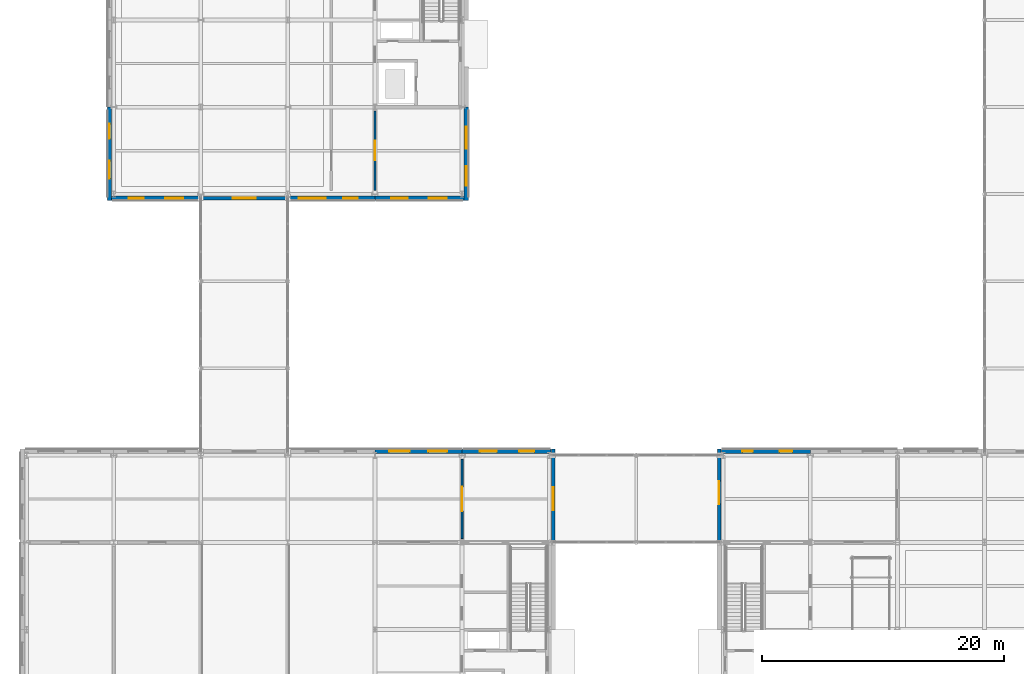
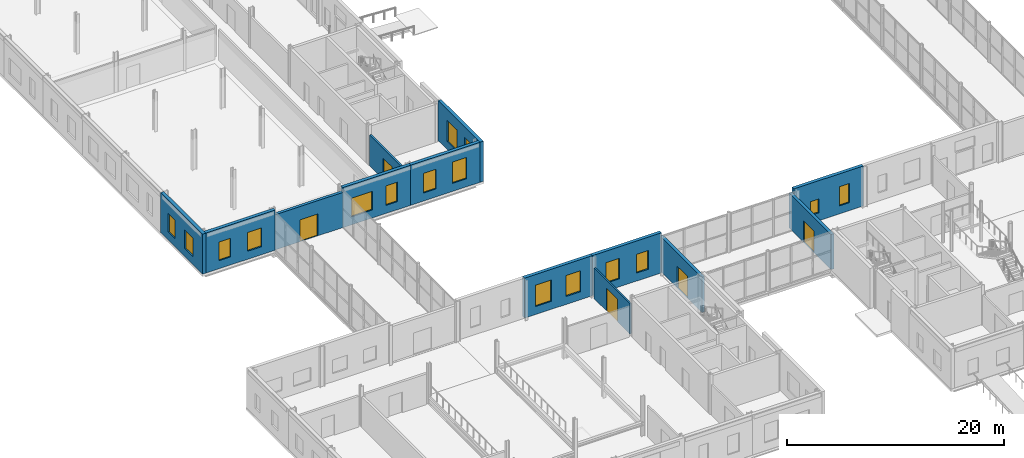
# One storey, part 56 of 92: 16 windows, 13 walls, 5 doors, 21 openings.
"""IFC4 building model written with IfcOpenShell, lengths in metres."""

import ifcopenshell
import ifcopenshell.guid

model = None  # the IFC model being written
_history = None  # IfcOwnerHistory: only IFC2X3 demands one
_inside = {}  # id of a spatial element -> (the spatial element, [elements in it])
_under = {}  # id of a project, library or spatial element -> (it, [spatial elements below it])
_declared = {}  # id of a project -> (the project, [libraries it declares])
_typed = {}  # id of a type object -> (the type object, [elements of that type])
_made_of = {}  # id of a material, layer set ... -> (it, [elements and type objects made of it])


def new_model(schema):
    """Start an empty IFC model of exactly this schema.

    Asked for "IFC4X3", IfcOpenShell would pick the latest addendum, in which some entities
    have other attributes; the version numbers below select the first issue.
    IFC2X3 requires an IfcOwnerHistory on every rooted entity: one is made here for all.
    """
    global model, _history
    if schema == "IFC4X3":
        model = ifcopenshell.file(schema_version=(4, 3, 0, 0))
    else:
        model = ifcopenshell.file(schema=schema)
    _inside.clear()
    _under.clear()
    _declared.clear()
    _typed.clear()
    _made_of.clear()
    _history = None
    if model.schema == "IFC2X3":
        org = make("IfcOrganization", Name="unknown")
        user = make(
            "IfcPersonAndOrganization",
            ThePerson=make("IfcPerson", FamilyName="unknown"),
            TheOrganization=org,
        )
        app = make(
            "IfcApplication",
            ApplicationDeveloper=org,
            Version="unknown",
            ApplicationFullName="unknown",
            ApplicationIdentifier="unknown",
        )
        _history = make(
            "IfcOwnerHistory",
            OwningUser=user,
            OwningApplication=app,
            ChangeAction="ADDED",
            CreationDate=0,
        )
    return model


def make(cls, **values):
    """One entity of the class cls with the attributes given. An attribute that is None is left unset."""
    return model.create_entity(
        cls, **{name: value for name, value in values.items() if value is not None}
    )


def rooted(cls, **values):
    """An entity with a GlobalId (a new one), such as an element, a storey or a relation."""
    return make(cls, GlobalId=ifcopenshell.guid.new(), OwnerHistory=_history, **values)


def si_unit(unit_type, name, prefix=None):
    """IfcSIUnit, for example si_unit("LENGTHUNIT", "METRE", prefix="MILLI")."""
    return make("IfcSIUnit", UnitType=unit_type, Prefix=prefix, Name=name)


def assignment(units):
    """IfcUnitAssignment: the units of a project."""
    return None if units is None else make("IfcUnitAssignment", Units=units)


def point(xyz):
    """IfcCartesianPoint."""
    return None if xyz is None else make("IfcCartesianPoint", Coordinates=xyz)


def direction(xyz):
    """IfcDirection."""
    return None if xyz is None else make("IfcDirection", DirectionRatios=xyz)


def frame(location, z_axis=None, x_axis=None):
    """IfcAxis2Placement3D, a coordinate frame: its origin and axes. An axis left out is left unset."""
    return make(
        "IfcAxis2Placement3D",
        Location=point(location),
        Axis=direction(z_axis),
        RefDirection=direction(x_axis),
    )


def frame_2d(location, x_axis=None):
    """IfcAxis2Placement2D, a coordinate frame in the plane: its origin and x axis."""
    return make(
        "IfcAxis2Placement2D", Location=point(location), RefDirection=direction(x_axis)
    )


def origin():
    """The frame at (0, 0, 0) with its axes left unset."""
    return frame((0.0, 0.0, 0.0))


def place(relative_to, where):
    """IfcLocalPlacement: puts the frame where relative to a parent placement (None: the world)."""
    return make(
        "IfcLocalPlacement", PlacementRelTo=relative_to, RelativePlacement=where
    )


def context(
    kind, dimensions, precision=None, world=None, true_north=None, identifier=None
):
    """IfcGeometricRepresentationContext, for example the 3D "Model" context."""
    return make(
        "IfcGeometricRepresentationContext",
        ContextIdentifier=identifier,
        ContextType=kind,
        CoordinateSpaceDimension=dimensions,
        Precision=precision,
        WorldCoordinateSystem=world,
        TrueNorth=true_north,
    )


def subcontext(parent, identifier, kind, view, scale=None):
    """IfcGeometricRepresentationSubContext, for example "Body" below "Model"."""
    return make(
        "IfcGeometricRepresentationSubContext",
        ContextIdentifier=identifier,
        ContextType=kind,
        ParentContext=parent,
        TargetScale=scale,
        TargetView=view,
    )


def project(units=None, contexts=None):
    """IfcProject with its units and contexts."""
    return rooted(
        "IfcProject",
        Name="project",
        RepresentationContexts=contexts,
        UnitsInContext=assignment(units),
    )


def spatial(cls, under=None, at=None, **own):
    """A site, building, storey or space (cls), placed at a placement, below another one or the project."""
    s = rooted(cls, ObjectPlacement=at, **own)
    if under is not None:
        _under.setdefault(under.id(), (under, []))[1].append(s)
    return s


def profile(cls, at=None, kind="AREA", **sizes):
    """A parametric profile (cls). Its sizes go by their IFC names, for example OverallWidth=200.0."""
    return make(cls, ProfileType=kind, Position=at, **sizes)


def rectangle(**sizes):
    """IfcRectangleProfileDef."""
    return profile("IfcRectangleProfileDef", **sizes)


def extrude(swept, where, along, depth):
    """IfcExtrudedAreaSolid: the profile swept, set in the frame where, extruded along a direction by depth."""
    return make(
        "IfcExtrudedAreaSolid",
        SweptArea=swept,
        Position=where,
        ExtrudedDirection=direction(along),
        Depth=depth,
    )


def shape(context_of_items, identifier, shape_type, items):
    """IfcShapeRepresentation: the items that make up one representation, for example the "Body"."""
    return make(
        "IfcShapeRepresentation",
        ContextOfItems=context_of_items,
        RepresentationIdentifier=identifier,
        RepresentationType=shape_type,
        Items=items,
    )


def material(Name=None, Category=None):
    """IfcMaterial."""
    return make("IfcMaterial", Name=Name, Category=Category)


def layer(
    of_material, thickness, ventilated=None, Name=None, Category=None, Priority=None
):
    """IfcMaterialLayer: one layer of a wall or slab, of a material (None: an air gap)."""
    return make(
        "IfcMaterialLayer",
        Material=of_material,
        LayerThickness=thickness,
        IsVentilated=ventilated,
        Name=Name,
        Category=Category,
        Priority=Priority,
    )


def layer_set(layers, Name=None):
    """IfcMaterialLayerSet."""
    return make("IfcMaterialLayerSet", MaterialLayers=layers, LayerSetName=Name)


def made_of(thing, what):
    """Note that an element or type object is made of a material, layer set ...; save() writes the relation."""
    if what is not None:
        _made_of.setdefault(what.id(), (what, []))[1].append(thing)
    return thing


def type_object(cls, material=None, **own):
    """A type object (cls), such as IfcWallType, which elements share."""
    return made_of(rooted(cls, **own), material)


def element(
    cls,
    number,
    at=None,
    inside=None,
    cuts=None,
    type_object=None,
    material=None,
    context=None,
    identifier="Body",
    shape_type=None,
    held_by="IfcProductDefinitionShape",
    body=None,
    shapes=None,
    **own,
):
    """One element of the class cls, such as IfcWall. Its Tag is "e" and its number.

    at: its placement. inside: the storey or other place that contains it. cuts: it is an
    opening in that element (IfcRelVoidsElement). A single representation is given by context,
    identifier, shape_type and body (its items); several are given by shapes. held_by: the class
    of the entity that holds the representations. save() writes the other relations.
    """
    e = rooted(cls, Tag="e%d" % number, ObjectPlacement=at, **own)
    if body is not None:
        shapes = [shape(context, identifier, shape_type, body)]
    if shapes is not None:
        e.Representation = make(held_by, Representations=shapes)
    if inside is not None:
        _inside.setdefault(inside.id(), (inside, []))[1].append(e)
    if cuts is not None:
        rooted(
            "IfcRelVoidsElement", RelatingBuildingElement=cuts, RelatedOpeningElement=e
        )
    if type_object is not None:
        _typed.setdefault(type_object.id(), (type_object, []))[1].append(e)
    return made_of(e, material)


def fill(opening, filler):
    """IfcRelFillsElement: the door or window that sits in an opening."""
    return rooted(
        "IfcRelFillsElement",
        RelatingOpeningElement=opening,
        RelatedBuildingElement=filler,
    )


def aggregate(whole, parts):
    """IfcRelAggregates: a whole, such as a stair, and the parts it consists of."""
    return rooted("IfcRelAggregates", RelatingObject=whole, RelatedObjects=parts)


def save(model, path):
    """Write the relations noted so far, then the file.

    IfcRelAggregates (storeys below a building ...), IfcRelContainedInSpatialStructure (elements
    in a storey), IfcRelDefinesByType, IfcRelAssociatesMaterial and IfcRelDeclares: one each for
    every whole, place, type object, material and project.
    """
    for whole, parts in _under.values():
        aggregate(whole, parts)
    for where, things in _inside.values():
        rooted(
            "IfcRelContainedInSpatialStructure",
            RelatedElements=things,
            RelatingStructure=where,
        )
    for kind, things in _typed.values():
        rooted("IfcRelDefinesByType", RelatedObjects=things, RelatingType=kind)
    for what, things in _made_of.values():
        rooted("IfcRelAssociatesMaterial", RelatedObjects=things, RelatingMaterial=what)
    for by, libraries in _declared.values():
        rooted("IfcRelDeclares", RelatingContext=by, RelatedDefinitions=libraries)
    model.write(path)


model = new_model("IFC4")

# Units and contexts
model_context = context("Model", 3, precision=1e-05, world=origin(), true_north=direction((0.0, 1.0)))
body_context = subcontext(model_context, "Body", "Model", "MODEL_VIEW")
ifc_project = project(units=[si_unit("LENGTHUNIT", "METRE"), si_unit("AREAUNIT", "SQUARE_METRE"), si_unit("VOLUMEUNIT", "CUBIC_METRE"), si_unit("PLANEANGLEUNIT", "RADIAN"), si_unit("MASSUNIT", "GRAM", prefix="KILO")], contexts=[model_context])

# Site, building, storey
site_placement = place(None, origin())
site = spatial("IfcSite", under=ifc_project, at=site_placement, CompositionType="ELEMENT")
building_placement = place(site_placement, origin())
building = spatial("IfcBuilding", under=site, at=building_placement, Name="Zlatovets Crest Museum", CompositionType="ELEMENT")
storey_placement = place(building_placement, origin())
storey = spatial("IfcBuildingStorey", under=building, at=storey_placement, Name="L00", CompositionType="ELEMENT", Elevation=0.0)

# Wall, openings, windows
ifc_material_1 = material(Name="Vratsa limestone ashlar masonry and mineral wool", Category="masonry")
ifc_layer_1 = layer(ifc_material_1, 0.35009765625)
ifc_layer_set_1 = layer_set([ifc_layer_1], Name="Vratsa limestone ashlar masonry and mineral wool")
wall_type_1 = type_object("IfcWallType", Name="ExtWall_EW-01", PredefinedType="STANDARD", material=ifc_layer_set_1)
wall_1_placement = place(storey_placement, frame((64.800048828125, 29.139892578125, 0.0), z_axis=(0.0, 0.0, 1.0), x_axis=(-1.0, 0.0, 0.0)))
wall_1 = element("IfcWall", 1, at=wall_1_placement, inside=storey, type_object=wall_type_1, Name="V2 L00 Vratsa Limestone Plinth Wall", PredefinedType="STANDARD", context=body_context, shape_type="SweptSolid", body=[
    extrude(rectangle(XDim=7.364990234375, YDim=0.35009765625, at=frame_2d((3.6826171875, 0.0))), origin(), (0.0, 0.0, 1.0), 4.5),
])
opening_1_placement = place(wall_1_placement, frame((1.490966796875, 0.0, 0.89990234375)))
opening_1 = element("IfcOpeningElement", 2, at=opening_1_placement, cuts=wall_1, Name="Opening WN-12", PredefinedType="OPENING", context=body_context, shape_type="SweptSolid", body=[
    extrude(rectangle(XDim=1.050048828125, YDim=2.14990234375, at=frame_2d((0.52490234375, 1.074951171875))), frame((0.0, 0.18505859375, 0.0), z_axis=(0.0, -1.0, 0.0), x_axis=(1.0, 0.0, 0.0)), (0.0, 0.0, 1.0), 0.3701171875),
])
opening_2_placement = place(wall_1_placement, frame((4.743896484375, 0.0, 0.89990234375)))
opening_2 = element("IfcOpeningElement", 3, at=opening_2_placement, cuts=wall_1, Name="Opening WN-16", PredefinedType="OPENING", context=body_context, shape_type="SweptSolid", body=[
    extrude(rectangle(XDim=0.8798828125, YDim=1.5400390625, at=frame_2d((0.43994140625, 0.77001953125))), frame((0.0, 0.18505859375, 0.0), z_axis=(0.0, -1.0, 0.0), x_axis=(1.0, 0.0, 0.0)), (0.0, 0.0, 1.0), 0.3701171875),
])
ifc_material_2 = material(Name="Bronze-anodised aluminium frame with low-E triple glass", Category="aluminium")
window_type_1 = type_object("IfcWindowType", Name="Win_WN-12", PartitioningType="SINGLE_PANEL", PredefinedType="WINDOW", material=ifc_material_2)
window_1_placement = place(opening_1_placement, origin())
window_1 = element("IfcWindow", 4, at=window_1_placement, inside=storey, type_object=window_type_1, Name="V2 L00 Secession Plinth Window WN-12", OverallHeight=2.14990234375, OverallWidth=1.050048828125, PartitioningType="SINGLE_PANEL", PredefinedType="WINDOW", context=body_context, shape_type="SweptSolid", body=[
    extrude(rectangle(XDim=1.050048828125, YDim=2.14990234375, at=frame_2d((0.52490234375, 1.074951171875))), frame((0.0, 0.030029296875, 0.0), z_axis=(0.0, -1.0, 0.0), x_axis=(1.0, 0.0, 0.0)), (0.0, 0.0, 1.0), 0.06005859375),
])
fill(opening_1, window_1)
window_type_2 = type_object("IfcWindowType", Name="Win_WN-16", PartitioningType="SINGLE_PANEL", PredefinedType="WINDOW", material=ifc_material_2)
window_2_placement = place(opening_2_placement, origin())
window_2 = element("IfcWindow", 5, at=window_2_placement, inside=storey, type_object=window_type_2, Name="V2 L00 Secession Plinth Window WN-16", OverallHeight=1.5400390625, OverallWidth=0.8798828125, PartitioningType="SINGLE_PANEL", PredefinedType="WINDOW", context=body_context, shape_type="SweptSolid", body=[
    extrude(rectangle(XDim=0.8798828125, YDim=1.5400390625, at=frame_2d((0.43994140625, 0.77001953125))), frame((0.0, 0.030029296875, 0.0), z_axis=(0.0, -1.0, 0.0), x_axis=(1.0, 0.0, 0.0)), (0.0, 0.0, 1.0), 0.06005859375),
])
fill(opening_2, window_2)

wall_2_placement = place(storey_placement, frame((43.364990234375, 29.139892578125, 0.0), z_axis=(0.0, 0.0, 1.0), x_axis=(-1.0, 0.0, 0.0)))
wall_2 = element("IfcWall", 6, at=wall_2_placement, inside=storey, type_object=wall_type_1, Name="V3 L00 Vratsa Limestone Plinth Wall", PredefinedType="STANDARD", context=body_context, shape_type="SweptSolid", body=[
    extrude(rectangle(XDim=7.364990234375, YDim=0.35009765625, at=frame_2d((3.6826171875, 0.0))), origin(), (0.0, 0.0, 1.0), 4.5),
])
opening_3_placement = place(wall_2_placement, frame((1.39111328125, 0.0, 0.89990234375)))
opening_3 = element("IfcOpeningElement", 7, at=opening_3_placement, cuts=wall_2, Name="Opening WN-07", PredefinedType="OPENING", context=body_context, shape_type="SweptSolid", body=[
    extrude(rectangle(XDim=1.25, YDim=2.10009765625, at=frame_2d((0.625, 1.050048828125))), frame((0.0, 0.18505859375, 0.0), z_axis=(0.0, -1.0, 0.0), x_axis=(1.0, 0.0, 0.0)), (0.0, 0.0, 1.0), 0.3701171875),
])
opening_4_placement = place(wall_2_placement, frame((4.48388671875, 0.0, 0.89990234375)))
opening_4 = element("IfcOpeningElement", 8, at=opening_4_placement, cuts=wall_2, Name="Opening WN-08", PredefinedType="OPENING", context=body_context, shape_type="SweptSolid", body=[
    extrude(rectangle(XDim=1.39990234375, YDim=2.300048828125, at=frame_2d((0.699951171875, 1.14990234375))), frame((0.0, 0.18505859375, 0.0), z_axis=(0.0, -1.0, 0.0), x_axis=(1.0, 0.0, 0.0)), (0.0, 0.0, 1.0), 0.3701171875),
])
window_type_3 = type_object("IfcWindowType", Name="Win_WN-07", PartitioningType="SINGLE_PANEL", PredefinedType="WINDOW", material=ifc_material_2)
window_3_placement = place(opening_3_placement, origin())
window_3 = element("IfcWindow", 9, at=window_3_placement, inside=storey, type_object=window_type_3, Name="V3 L00 Secession Plinth Window WN-07", OverallHeight=2.10009765625, OverallWidth=1.25, PartitioningType="SINGLE_PANEL", PredefinedType="WINDOW", context=body_context, shape_type="SweptSolid", body=[
    extrude(rectangle(XDim=1.25, YDim=2.10009765625, at=frame_2d((0.625, 1.050048828125))), frame((0.0, 0.030029296875, 0.0), z_axis=(0.0, -1.0, 0.0), x_axis=(1.0, 0.0, 0.0)), (0.0, 0.0, 1.0), 0.06005859375),
])
fill(opening_3, window_3)
window_type_4 = type_object("IfcWindowType", Name="Win_WN-08", PartitioningType="SINGLE_PANEL", PredefinedType="WINDOW", material=ifc_material_2)
window_4_placement = place(opening_4_placement, origin())
window_4 = element("IfcWindow", 10, at=window_4_placement, inside=storey, type_object=window_type_4, Name="V3 L00 Secession Plinth Window WN-08", OverallHeight=2.300048828125, OverallWidth=1.39990234375, PartitioningType="SINGLE_PANEL", PredefinedType="WINDOW", context=body_context, shape_type="SweptSolid", body=[
    extrude(rectangle(XDim=1.39990234375, YDim=2.300048828125, at=frame_2d((0.699951171875, 1.14990234375))), frame((0.0, 0.030029296875, 0.0), z_axis=(0.0, -1.0, 0.0), x_axis=(1.0, 0.0, 0.0)), (0.0, 0.0, 1.0), 0.06005859375),
])
fill(opening_4, window_4)

wall_3_placement = place(storey_placement, frame((36.0, 29.139892578125, 0.0), z_axis=(0.0, 0.0, 1.0), x_axis=(-1.0, 0.0, 0.0)))
wall_3 = element("IfcWall", 11, at=wall_3_placement, inside=storey, type_object=wall_type_1, Name="V3 L00 Vratsa Limestone Plinth Wall", PredefinedType="STANDARD", context=body_context, shape_type="SweptSolid", body=[
    extrude(rectangle(XDim=7.199951171875, YDim=0.35009765625, at=frame_2d((3.60009765625, 0.0))), origin(), (0.0, 0.0, 1.0), 4.5),
])
opening_5_placement = place(wall_3_placement, frame((1.240966796875, 0.0, 0.89990234375)))
opening_5 = element("IfcOpeningElement", 12, at=opening_5_placement, cuts=wall_3, Name="Opening WN-09", PredefinedType="OPENING", context=body_context, shape_type="SweptSolid", body=[
    extrude(rectangle(XDim=1.550048828125, YDim=2.35009765625, at=frame_2d((0.77490234375, 1.175048828125))), frame((0.0, 0.18505859375, 0.0), z_axis=(0.0, -1.0, 0.0), x_axis=(1.0, 0.0, 0.0)), (0.0, 0.0, 1.0), 0.3701171875),
])
opening_6_placement = place(wall_3_placement, frame((4.333984375, 0.0, 0.89990234375)))
opening_6 = element("IfcOpeningElement", 13, at=opening_6_placement, cuts=wall_3, Name="Opening WN-10", PredefinedType="OPENING", context=body_context, shape_type="SweptSolid", body=[
    extrude(rectangle(XDim=1.699951171875, YDim=2.39990234375, at=frame_2d((0.85009765625, 1.199951171875))), frame((0.0, 0.18505859375, 0.0), z_axis=(0.0, -1.0, 0.0), x_axis=(1.0, 0.0, 0.0)), (0.0, 0.0, 1.0), 0.3701171875),
])
window_type_5 = type_object("IfcWindowType", Name="Win_WN-09", PartitioningType="SINGLE_PANEL", PredefinedType="WINDOW", material=ifc_material_2)
window_5_placement = place(opening_5_placement, origin())
window_5 = element("IfcWindow", 14, at=window_5_placement, inside=storey, type_object=window_type_5, Name="V3 L00 Secession Plinth Window WN-09", OverallHeight=2.35009765625, OverallWidth=1.550048828125, PartitioningType="SINGLE_PANEL", PredefinedType="WINDOW", context=body_context, shape_type="SweptSolid", body=[
    extrude(rectangle(XDim=1.550048828125, YDim=2.35009765625, at=frame_2d((0.77490234375, 1.175048828125))), frame((0.0, 0.030029296875, 0.0), z_axis=(0.0, -1.0, 0.0), x_axis=(1.0, 0.0, 0.0)), (0.0, 0.0, 1.0), 0.06005859375),
])
fill(opening_5, window_5)
window_type_6 = type_object("IfcWindowType", Name="Win_WN-10", PartitioningType="SINGLE_PANEL", PredefinedType="WINDOW", material=ifc_material_2)
window_6_placement = place(opening_6_placement, origin())
window_6 = element("IfcWindow", 15, at=window_6_placement, inside=storey, type_object=window_type_6, Name="V3 L00 Secession Plinth Window WN-10", OverallHeight=2.39990234375, OverallWidth=1.699951171875, PartitioningType="SINGLE_PANEL", PredefinedType="WINDOW", context=body_context, shape_type="SweptSolid", body=[
    extrude(rectangle(XDim=1.699951171875, YDim=2.39990234375, at=frame_2d((0.85009765625, 1.199951171875))), frame((0.0, 0.030029296875, 0.0), z_axis=(0.0, -1.0, 0.0), x_axis=(1.0, 0.0, 0.0)), (0.0, 0.0, 1.0), 0.06005859375),
])
fill(opening_6, window_6)

wall_4_placement = place(storey_placement, frame((7.034912109375, 50.06005859375, 0.0), z_axis=(0.0, 0.0, 1.0), x_axis=(1.0, 0.0, 0.0)))
wall_4 = element("IfcWall", 16, at=wall_4_placement, inside=storey, type_object=wall_type_1, Name="V4 L00 Vratsa Limestone Plinth Wall", PredefinedType="STANDARD", context=body_context, shape_type="SweptSolid", body=[
    extrude(rectangle(XDim=7.364990234375, YDim=0.35009765625, at=frame_2d((3.6826171875, 0.0))), origin(), (0.0, 0.0, 1.0), 4.5),
])
opening_7_placement = place(wall_4_placement, frame((1.39599609375, 0.0, 0.89990234375)))
opening_7 = element("IfcOpeningElement", 17, at=opening_7_placement, cuts=wall_4, Name="Opening WN-41", PredefinedType="OPENING", context=body_context, shape_type="SweptSolid", body=[
    extrude(rectangle(XDim=1.239990234375, YDim=2.10009765625, at=frame_2d((0.6201171875, 1.050048828125))), frame((0.0, 0.18505859375, 0.0), z_axis=(0.0, -1.0, 0.0), x_axis=(1.0, 0.0, 0.0)), (0.0, 0.0, 1.0), 0.3701171875),
])
opening_8_placement = place(wall_4_placement, frame((4.444091796875, 0.0, 0.89990234375)))
opening_8 = element("IfcOpeningElement", 18, at=opening_8_placement, cuts=wall_4, Name="Opening WN-42", PredefinedType="OPENING", context=body_context, shape_type="SweptSolid", body=[
    extrude(rectangle(XDim=1.47998046875, YDim=2.10009765625, at=frame_2d((0.739990234375, 1.050048828125))), frame((0.0, 0.18505859375, 0.0), z_axis=(0.0, -1.0, 0.0), x_axis=(1.0, 0.0, 0.0)), (0.0, 0.0, 1.0), 0.3701171875),
])
window_type_7 = type_object("IfcWindowType", Name="Win_WN-41", PartitioningType="SINGLE_PANEL", PredefinedType="WINDOW", material=ifc_material_2)
window_7_placement = place(opening_7_placement, origin())
window_7 = element("IfcWindow", 19, at=window_7_placement, inside=storey, type_object=window_type_7, Name="V4 L00 Secession Plinth Window WN-41", OverallHeight=2.10009765625, OverallWidth=1.239990234375, PartitioningType="SINGLE_PANEL", PredefinedType="WINDOW", context=body_context, shape_type="SweptSolid", body=[
    extrude(rectangle(XDim=1.239990234375, YDim=2.10009765625, at=frame_2d((0.6201171875, 1.050048828125))), frame((0.0, 0.030029296875, 0.0), z_axis=(0.0, -1.0, 0.0), x_axis=(1.0, 0.0, 0.0)), (0.0, 0.0, 1.0), 0.06005859375),
])
fill(opening_7, window_7)
window_type_8 = type_object("IfcWindowType", Name="Win_WN-42", PartitioningType="SINGLE_PANEL", PredefinedType="WINDOW", material=ifc_material_2)
window_8_placement = place(opening_8_placement, origin())
window_8 = element("IfcWindow", 20, at=window_8_placement, inside=storey, type_object=window_type_8, Name="V4 L00 Secession Plinth Window WN-42", OverallHeight=2.10009765625, OverallWidth=1.47998046875, PartitioningType="SINGLE_PANEL", PredefinedType="WINDOW", context=body_context, shape_type="SweptSolid", body=[
    extrude(rectangle(XDim=1.47998046875, YDim=2.10009765625, at=frame_2d((0.739990234375, 1.050048828125))), frame((0.0, 0.030029296875, 0.0), z_axis=(0.0, -1.0, 0.0), x_axis=(1.0, 0.0, 0.0)), (0.0, 0.0, 1.0), 0.06005859375),
])
fill(opening_8, window_8)

wall_5_placement = place(storey_placement, frame((21.60009765625, 50.06005859375, 0.0), z_axis=(0.0, 0.0, 1.0), x_axis=(1.0, 0.0, 0.0)))
wall_5 = element("IfcWall", 21, at=wall_5_placement, inside=storey, type_object=wall_type_1, Name="V4 L00 Vratsa Limestone Plinth Wall", PredefinedType="STANDARD", context=body_context, shape_type="SweptSolid", body=[
    extrude(rectangle(XDim=7.199951171875, YDim=0.35009765625, at=frame_2d((3.60009765625, 0.0))), origin(), (0.0, 0.0, 1.0), 4.5),
])
opening_9_placement = place(wall_5_placement, frame((0.916015625, 0.0, 0.89990234375)))
opening_9 = element("IfcOpeningElement", 22, at=opening_9_placement, cuts=wall_5, Name="Opening WN-45", PredefinedType="OPENING", context=body_context, shape_type="SweptSolid", body=[
    extrude(rectangle(XDim=2.199951171875, YDim=2.10009765625, at=frame_2d((1.10009765625, 1.050048828125))), frame((0.0, 0.18505859375, 0.0), z_axis=(0.0, -1.0, 0.0), x_axis=(1.0, 0.0, 0.0)), (0.0, 0.0, 1.0), 0.3701171875),
])
opening_10_placement = place(wall_5_placement, frame((4.583984375, 0.0, 0.89990234375)))
opening_10 = element("IfcOpeningElement", 23, at=opening_10_placement, cuts=wall_5, Name="Opening WN-01", PredefinedType="OPENING", context=body_context, shape_type="SweptSolid", body=[
    extrude(rectangle(XDim=1.199951171875, YDim=2.199951171875, at=frame_2d((0.60009765625, 1.10009765625))), frame((0.0, 0.18505859375, 0.0), z_axis=(0.0, -1.0, 0.0), x_axis=(1.0, 0.0, 0.0)), (0.0, 0.0, 1.0), 0.3701171875),
])
window_type_9 = type_object("IfcWindowType", Name="Win_WN-01", PartitioningType="SINGLE_PANEL", PredefinedType="WINDOW", material=ifc_material_2)
window_9_placement = place(opening_10_placement, origin())
window_9 = element("IfcWindow", 24, at=window_9_placement, inside=storey, type_object=window_type_9, Name="V4 L00 Secession Plinth Window WN-01", OverallHeight=2.199951171875, OverallWidth=1.199951171875, PartitioningType="SINGLE_PANEL", PredefinedType="WINDOW", context=body_context, shape_type="SweptSolid", body=[
    extrude(rectangle(XDim=1.199951171875, YDim=2.199951171875, at=frame_2d((0.60009765625, 1.10009765625))), frame((0.0, 0.030029296875, 0.0), z_axis=(0.0, -1.0, 0.0), x_axis=(1.0, 0.0, 0.0)), (0.0, 0.0, 1.0), 0.06005859375),
])
fill(opening_10, window_9)
window_type_10 = type_object("IfcWindowType", Name="Win_WN-45", PartitioningType="SINGLE_PANEL", PredefinedType="WINDOW", material=ifc_material_2)
window_10_placement = place(opening_9_placement, origin())
window_10 = element("IfcWindow", 25, at=window_10_placement, inside=storey, type_object=window_type_10, Name="V4 L00 Secession Plinth Window WN-45", OverallHeight=2.10009765625, OverallWidth=2.199951171875, PartitioningType="SINGLE_PANEL", PredefinedType="WINDOW", context=body_context, shape_type="SweptSolid", body=[
    extrude(rectangle(XDim=2.199951171875, YDim=2.10009765625, at=frame_2d((1.10009765625, 1.050048828125))), frame((0.0, 0.030029296875, 0.0), z_axis=(0.0, -1.0, 0.0), x_axis=(1.0, 0.0, 0.0)), (0.0, 0.0, 1.0), 0.06005859375),
])
fill(opening_9, window_10)

wall_6_placement = place(storey_placement, frame((28.800048828125, 50.06005859375, 0.0), z_axis=(0.0, 0.0, 1.0), x_axis=(1.0, 0.0, 0.0)))
wall_6 = element("IfcWall", 26, at=wall_6_placement, inside=storey, type_object=wall_type_1, Name="V4 L00 Vratsa Limestone Plinth Wall", PredefinedType="STANDARD", context=body_context, shape_type="SweptSolid", body=[
    extrude(rectangle(XDim=7.364990234375, YDim=0.35009765625, at=frame_2d((3.6826171875, 0.0))), origin(), (0.0, 0.0, 1.0), 4.5),
])
opening_11_placement = place(wall_6_placement, frame((1.341064453125, 0.0, 0.89990234375)))
opening_11 = element("IfcOpeningElement", 27, at=opening_11_placement, cuts=wall_6, Name="Opening WN-02", PredefinedType="OPENING", context=body_context, shape_type="SweptSolid", body=[
    extrude(rectangle(XDim=1.35009765625, YDim=2.199951171875, at=frame_2d((0.675048828125, 1.10009765625))), frame((0.0, 0.18505859375, 0.0), z_axis=(0.0, -1.0, 0.0), x_axis=(1.0, 0.0, 0.0)), (0.0, 0.0, 1.0), 0.3701171875),
])
opening_12_placement = place(wall_6_placement, frame((4.43408203125, 0.0, 0.89990234375)))
opening_12 = element("IfcOpeningElement", 28, at=opening_12_placement, cuts=wall_6, Name="Opening WN-03", PredefinedType="OPENING", context=body_context, shape_type="SweptSolid", body=[
    extrude(rectangle(XDim=1.5, YDim=2.39990234375, at=frame_2d((0.75, 1.199951171875))), frame((0.0, 0.18505859375, 0.0), z_axis=(0.0, -1.0, 0.0), x_axis=(1.0, 0.0, 0.0)), (0.0, 0.0, 1.0), 0.3701171875),
])
window_type_11 = type_object("IfcWindowType", Name="Win_WN-02", PartitioningType="SINGLE_PANEL", PredefinedType="WINDOW", material=ifc_material_2)
window_11_placement = place(opening_11_placement, origin())
window_11 = element("IfcWindow", 29, at=window_11_placement, inside=storey, type_object=window_type_11, Name="V4 L00 Secession Plinth Window WN-02", OverallHeight=2.199951171875, OverallWidth=1.35009765625, PartitioningType="SINGLE_PANEL", PredefinedType="WINDOW", context=body_context, shape_type="SweptSolid", body=[
    extrude(rectangle(XDim=1.35009765625, YDim=2.199951171875, at=frame_2d((0.675048828125, 1.10009765625))), frame((0.0, 0.030029296875, 0.0), z_axis=(0.0, -1.0, 0.0), x_axis=(1.0, 0.0, 0.0)), (0.0, 0.0, 1.0), 0.06005859375),
])
fill(opening_11, window_11)
window_type_12 = type_object("IfcWindowType", Name="Win_WN-03", PartitioningType="SINGLE_PANEL", PredefinedType="WINDOW", material=ifc_material_2)
window_12_placement = place(opening_12_placement, origin())
window_12 = element("IfcWindow", 30, at=window_12_placement, inside=storey, type_object=window_type_12, Name="V4 L00 Secession Plinth Window WN-03", OverallHeight=2.39990234375, OverallWidth=1.5, PartitioningType="SINGLE_PANEL", PredefinedType="WINDOW", context=body_context, shape_type="SweptSolid", body=[
    extrude(rectangle(XDim=1.5, YDim=2.39990234375, at=frame_2d((0.75, 1.199951171875))), frame((0.0, 0.030029296875, 0.0), z_axis=(0.0, -1.0, 0.0), x_axis=(1.0, 0.0, 0.0)), (0.0, 0.0, 1.0), 0.06005859375),
])
fill(opening_12, window_12)

wall_7_placement = place(storey_placement, frame((36.340087890625, 49.885009765625, 0.0), z_axis=(0.0, 0.0, 1.0), x_axis=(0.0, 1.0, 0.0)))
wall_7 = element("IfcWall", 31, at=wall_7_placement, inside=storey, type_object=wall_type_1, Name="V4 L00 Vratsa Limestone Plinth Wall", PredefinedType="STANDARD", context=body_context, shape_type="SweptSolid", body=[
    extrude(rectangle(XDim=7.715087890625, YDim=0.35009765625, at=frame_2d((3.857421875, 0.0))), origin(), (0.0, 0.0, 1.0), 4.5),
])
opening_13_placement = place(wall_7_placement, frame((1.19091796875, 0.0, 0.89990234375)))
opening_13 = element("IfcOpeningElement", 32, at=opening_13_placement, cuts=wall_7, Name="Opening WN-04", PredefinedType="OPENING", context=body_context, shape_type="SweptSolid", body=[
    extrude(rectangle(XDim=1.64990234375, YDim=2.39990234375, at=frame_2d((0.824951171875, 1.199951171875))), frame((0.0, 0.18505859375, 0.0), z_axis=(0.0, -1.0, 0.0), x_axis=(1.0, 0.0, 0.0)), (0.0, 0.0, 1.0), 0.3701171875),
])
opening_14_placement = place(wall_7_placement, frame((4.283935546875, 0.0, 0.89990234375)))
opening_14 = element("IfcOpeningElement", 33, at=opening_14_placement, cuts=wall_7, Name="Opening WN-05", PredefinedType="OPENING", context=body_context, shape_type="SweptSolid", body=[
    extrude(rectangle(XDim=1.800048828125, YDim=2.39990234375, at=frame_2d((0.89990234375, 1.199951171875))), frame((0.0, 0.18505859375, 0.0), z_axis=(0.0, -1.0, 0.0), x_axis=(1.0, 0.0, 0.0)), (0.0, 0.0, 1.0), 0.3701171875),
])
window_type_13 = type_object("IfcWindowType", Name="Win_WN-04", PartitioningType="SINGLE_PANEL", PredefinedType="WINDOW", material=ifc_material_2)
window_13_placement = place(opening_13_placement, origin())
window_13 = element("IfcWindow", 34, at=window_13_placement, inside=storey, type_object=window_type_13, Name="V4 L00 Secession Plinth Window WN-04", OverallHeight=2.39990234375, OverallWidth=1.64990234375, PartitioningType="SINGLE_PANEL", PredefinedType="WINDOW", context=body_context, shape_type="SweptSolid", body=[
    extrude(rectangle(XDim=1.64990234375, YDim=2.39990234375, at=frame_2d((0.824951171875, 1.199951171875))), frame((0.0, 0.030029296875, 0.0), z_axis=(0.0, -1.0, 0.0), x_axis=(1.0, 0.0, 0.0)), (0.0, 0.0, 1.0), 0.06005859375),
])
fill(opening_13, window_13)
window_type_14 = type_object("IfcWindowType", Name="Win_WN-05", PartitioningType="SINGLE_PANEL", PredefinedType="WINDOW", material=ifc_material_2)
window_14_placement = place(opening_14_placement, origin())
window_14 = element("IfcWindow", 35, at=window_14_placement, inside=storey, type_object=window_type_14, Name="V4 L00 Secession Plinth Window WN-05", OverallHeight=2.39990234375, OverallWidth=1.800048828125, PartitioningType="SINGLE_PANEL", PredefinedType="WINDOW", context=body_context, shape_type="SweptSolid", body=[
    extrude(rectangle(XDim=1.800048828125, YDim=2.39990234375, at=frame_2d((0.89990234375, 1.199951171875))), frame((0.0, 0.030029296875, 0.0), z_axis=(0.0, -1.0, 0.0), x_axis=(1.0, 0.0, 0.0)), (0.0, 0.0, 1.0), 0.06005859375),
])
fill(opening_14, window_14)

wall_8_placement = place(storey_placement, frame((6.860107421875, 57.60009765625, 0.0), z_axis=(0.0, 0.0, 1.0), x_axis=(0.0, -1.0, 0.0)))
wall_8 = element("IfcWall", 36, at=wall_8_placement, inside=storey, type_object=wall_type_1, Name="V4 L00 Vratsa Limestone Plinth Wall", PredefinedType="STANDARD", context=body_context, shape_type="SweptSolid", body=[
    extrude(rectangle(XDim=7.715087890625, YDim=0.35009765625, at=frame_2d((3.857421875, 0.0))), origin(), (0.0, 0.0, 1.0), 4.5),
])
opening_15_placement = place(wall_8_placement, frame((1.39599609375, 0.0, 0.89990234375)))
opening_15 = element("IfcOpeningElement", 37, at=opening_15_placement, cuts=wall_8, Name="Opening WN-41", PredefinedType="OPENING", context=body_context, shape_type="SweptSolid", body=[
    extrude(rectangle(XDim=1.239990234375, YDim=2.10009765625, at=frame_2d((0.6201171875, 1.050048828125))), frame((0.0, 0.18505859375, 0.0), z_axis=(0.0, -1.0, 0.0), x_axis=(1.0, 0.0, 0.0)), (0.0, 0.0, 1.0), 0.3701171875),
])
opening_16_placement = place(wall_8_placement, frame((4.444091796875, 0.0, 0.89990234375)))
opening_16 = element("IfcOpeningElement", 38, at=opening_16_placement, cuts=wall_8, Name="Opening WN-42", PredefinedType="OPENING", context=body_context, shape_type="SweptSolid", body=[
    extrude(rectangle(XDim=1.47998046875, YDim=2.10009765625, at=frame_2d((0.739990234375, 1.050048828125))), frame((0.0, 0.18505859375, 0.0), z_axis=(0.0, -1.0, 0.0), x_axis=(1.0, 0.0, 0.0)), (0.0, 0.0, 1.0), 0.3701171875),
])
window_15_placement = place(opening_15_placement, origin())
window_15 = element("IfcWindow", 39, at=window_15_placement, inside=storey, type_object=window_type_7, Name="V4 L00 Secession Plinth Window WN-41", OverallHeight=2.10009765625, OverallWidth=1.239990234375, PartitioningType="SINGLE_PANEL", PredefinedType="WINDOW", context=body_context, shape_type="SweptSolid", body=[
    extrude(rectangle(XDim=1.239990234375, YDim=2.10009765625, at=frame_2d((0.6201171875, 1.050048828125))), frame((0.0, 0.030029296875, 0.0), z_axis=(0.0, -1.0, 0.0), x_axis=(1.0, 0.0, 0.0)), (0.0, 0.0, 1.0), 0.06005859375),
])
fill(opening_15, window_15)
window_16_placement = place(opening_16_placement, origin())
window_16 = element("IfcWindow", 40, at=window_16_placement, inside=storey, type_object=window_type_8, Name="V4 L00 Secession Plinth Window WN-42", OverallHeight=2.10009765625, OverallWidth=1.47998046875, PartitioningType="SINGLE_PANEL", PredefinedType="WINDOW", context=body_context, shape_type="SweptSolid", body=[
    extrude(rectangle(XDim=1.47998046875, YDim=2.10009765625, at=frame_2d((0.739990234375, 1.050048828125))), frame((0.0, 0.030029296875, 0.0), z_axis=(0.0, -1.0, 0.0), x_axis=(1.0, 0.0, 0.0)), (0.0, 0.0, 1.0), 0.06005859375),
])
fill(opening_16, window_16)

# Wall, opening, door
ifc_material_3 = material(Name="Insulated gallery conservation liner wall", Category="concrete")
ifc_layer_2 = layer(ifc_material_3, 0.300048828125)
ifc_layer_set_2 = layer_set([ifc_layer_2], Name="Insulated gallery conservation liner wall")
wall_type_2 = type_object("IfcWallType", Name="ExtWall_EW-02", PredefinedType="STANDARD", material=ifc_layer_set_2)
wall_9_placement = place(storey_placement, frame((57.260009765625, 29.31494140625, 0.0), z_axis=(0.0, 0.0, 1.0), x_axis=(0.0, -1.0, 0.0)))
wall_9 = element("IfcWall", 41, at=wall_9_placement, inside=storey, type_object=wall_type_2, Name="V2 L00 Bridge Portal Wall", PredefinedType="STANDARD", context=body_context, shape_type="SweptSolid", body=[
    extrude(rectangle(XDim=7.71484375, YDim=0.300048828125, at=frame_2d((3.857421875, 0.0))), origin(), (0.0, 0.0, 1.0), 3.949951171875),
])
opening_17_placement = place(wall_9_placement, frame((2.64990234375, 0.0, 0.0)))
opening_17 = element("IfcOpeningElement", 42, at=opening_17_placement, cuts=wall_9, Name="Opening ED-02", PredefinedType="OPENING", context=body_context, shape_type="SweptSolid", body=[
    extrude(rectangle(XDim=1.89990234375, YDim=2.449951171875, at=frame_2d((0.949951171875, 1.22509765625))), frame((0.0, 0.16015625, 0.0), z_axis=(0.0, -1.0, 0.0), x_axis=(1.0, 0.0, 0.0)), (0.0, 0.0, 1.0), 0.320068359375),
])
ifc_material_4 = material(Name="Bronze-clad insulated steel door", Category="steel")
door_type_1 = type_object("IfcDoorType", Name="ExtDoor_ED-02", OperationType="NOTDEFINED", PredefinedType="DOOR", material=ifc_material_4)
door_1_placement = place(opening_17_placement, origin())
door_1 = element("IfcDoor", 43, at=door_1_placement, inside=storey, type_object=door_type_1, Name="ED-V2-L00-BR019 V2 L00 Bridge Link Portal Door", OperationType="DOUBLE_DOOR_SINGLE_SWING", OverallHeight=2.449951171875, OverallWidth=1.89990234375, PredefinedType="DOOR", context=body_context, shape_type="SweptSolid", body=[
    extrude(rectangle(XDim=1.89990234375, YDim=2.449951171875, at=frame_2d((0.949951171875, 1.22509765625))), frame((0.0, 0.02490234375, 0.0), z_axis=(0.0, -1.0, 0.0), x_axis=(1.0, 0.0, 0.0)), (0.0, 0.0, 1.0), 0.050048828125),
])
fill(opening_17, door_1)

wall_10_placement = place(storey_placement, frame((43.5400390625, 21.60009765625, 0.0), z_axis=(0.0, 0.0, 1.0), x_axis=(0.0, 1.0, 0.0)))
wall_10 = element("IfcWall", 44, at=wall_10_placement, inside=storey, type_object=wall_type_2, Name="V3 L00 Bridge Portal Wall", PredefinedType="STANDARD", context=body_context, shape_type="SweptSolid", body=[
    extrude(rectangle(XDim=7.71484375, YDim=0.300048828125, at=frame_2d((3.857421875, 0.0))), origin(), (0.0, 0.0, 1.0), 3.949951171875),
])
opening_18_placement = place(wall_10_placement, frame((2.64990234375, 0.0, 0.0)))
opening_18 = element("IfcOpeningElement", 45, at=opening_18_placement, cuts=wall_10, Name="Opening ED-02", PredefinedType="OPENING", context=body_context, shape_type="SweptSolid", body=[
    extrude(rectangle(XDim=1.89990234375, YDim=2.449951171875, at=frame_2d((0.949951171875, 1.22509765625))), frame((0.0, 0.16015625, 0.0), z_axis=(0.0, -1.0, 0.0), x_axis=(1.0, 0.0, 0.0)), (0.0, 0.0, 1.0), 0.320068359375),
])
door_2_placement = place(opening_18_placement, origin())
door_2 = element("IfcDoor", 46, at=door_2_placement, inside=storey, type_object=door_type_1, Name="ED-V3-L00-BR027 V3 L00 Bridge Link Portal Door", OperationType="DOUBLE_DOOR_SINGLE_SWING", OverallHeight=2.449951171875, OverallWidth=1.89990234375, PredefinedType="DOOR", context=body_context, shape_type="SweptSolid", body=[
    extrude(rectangle(XDim=1.89990234375, YDim=2.449951171875, at=frame_2d((0.949951171875, 1.22509765625))), frame((0.0, 0.02490234375, 0.0), z_axis=(0.0, -1.0, 0.0), x_axis=(1.0, 0.0, 0.0)), (0.0, 0.0, 1.0), 0.050048828125),
])
fill(opening_18, door_2)

wall_11_placement = place(storey_placement, frame((14.39990234375, 50.06005859375, 0.0), z_axis=(0.0, 0.0, 1.0), x_axis=(1.0, 0.0, 0.0)))
wall_11 = element("IfcWall", 47, at=wall_11_placement, inside=storey, type_object=wall_type_2, Name="V4 L00 Bridge Portal Wall", PredefinedType="STANDARD", context=body_context, shape_type="SweptSolid", body=[
    extrude(rectangle(XDim=7.2001953125, YDim=0.300048828125, at=frame_2d((3.60009765625, 0.0))), origin(), (0.0, 0.0, 1.0), 3.949951171875),
])
opening_19_placement = place(wall_11_placement, frame((2.64990234375, 0.0, 0.0)))
opening_19 = element("IfcOpeningElement", 48, at=opening_19_placement, cuts=wall_11, Name="Opening ED-02", PredefinedType="OPENING", context=body_context, shape_type="SweptSolid", body=[
    extrude(rectangle(XDim=1.89990234375, YDim=2.449951171875, at=frame_2d((0.949951171875, 1.22509765625))), frame((0.0, 0.16015625, 0.0), z_axis=(0.0, -1.0, 0.0), x_axis=(1.0, 0.0, 0.0)), (0.0, 0.0, 1.0), 0.320068359375),
])
door_3_placement = place(opening_19_placement, origin())
door_3 = element("IfcDoor", 49, at=door_3_placement, inside=storey, type_object=door_type_1, Name="ED-V4-L00-BR033 V4 L00 Bridge Link Portal Door", OperationType="DOUBLE_DOOR_SINGLE_SWING", OverallHeight=2.449951171875, OverallWidth=1.89990234375, PredefinedType="DOOR", context=body_context, shape_type="SweptSolid", body=[
    extrude(rectangle(XDim=1.89990234375, YDim=2.449951171875, at=frame_2d((0.949951171875, 1.22509765625))), frame((0.0, 0.02490234375, 0.0), z_axis=(0.0, -1.0, 0.0), x_axis=(1.0, 0.0, 0.0)), (0.0, 0.0, 1.0), 0.050048828125),
])
fill(opening_19, door_3)

ifc_material_5 = material(Name="Gypsum-encased fire compartment partition")
ifc_layer_3 = layer(ifc_material_5, 0.199951171875)
ifc_layer_set_3 = layer_set([ifc_layer_3], Name="Gypsum-encased fire compartment partition")
wall_type_3 = type_object("IfcWallType", Name="PartWall_PT-01", PredefinedType="PARTITIONING", material=ifc_layer_set_3)
wall_12_placement = place(storey_placement, frame((28.800048828125, 50.719970703125, 0.0), z_axis=(0.0, 0.0, 1.0), x_axis=(0.0, 1.0, 0.0)))
wall_12 = element("IfcWall", 50, at=wall_12_placement, inside=storey, type_object=wall_type_3, Name="V4 L00 Interior Partition PT-01", PredefinedType="PARTITIONING", context=body_context, shape_type="SweptSolid", body=[
    extrude(rectangle(XDim=6.56005859375, YDim=0.199951171875, at=frame_2d((3.280029296875, 0.0))), origin(), (0.0, 0.0, 1.0), 3.449951171875),
])
opening_20_placement = place(wall_12_placement, frame((2.47998046875, 0.0, 0.0)))
opening_20 = element("IfcOpeningElement", 51, at=opening_20_placement, cuts=wall_12, Name="Opening ID-04", PredefinedType="OPENING", context=body_context, shape_type="SweptSolid", body=[
    extrude(rectangle(XDim=1.60009765625, YDim=2.35009765625, at=frame_2d((0.800048828125, 1.175048828125))), frame((0.0, 0.10986328125, 0.0), z_axis=(0.0, -1.0, 0.0), x_axis=(1.0, 0.0, 0.0)), (0.0, 0.0, 1.0), 0.219970703125),
])
ifc_material_6 = material(Name="Gallery salon double portal door")
door_type_2 = type_object("IfcDoorType", Name="IntDoor_ID-04", OperationType="DOUBLE_DOOR_SINGLE_SWING", PredefinedType="DOOR", material=ifc_material_6)
door_4_placement = place(opening_20_placement, origin())
door_4 = element("IfcDoor", 52, at=door_4_placement, inside=storey, type_object=door_type_2, Name="IDOOR-V4-L00-0076 West Court Gallery Corridor L00 to Field Discovery Classroom Door", OperationType="DOUBLE_DOOR_SINGLE_SWING", OverallHeight=2.35009765625, OverallWidth=1.60009765625, PredefinedType="DOOR", context=body_context, shape_type="SweptSolid", body=[
    extrude(rectangle(XDim=1.60009765625, YDim=2.35009765625, at=frame_2d((0.800048828125, 1.175048828125))), frame((0.0, 0.02490234375, 0.0), z_axis=(0.0, -1.0, 0.0), x_axis=(1.0, 0.0, 0.0)), (0.0, 0.0, 1.0), 0.050048828125),
])
fill(opening_20, door_4)

ifc_material_7 = material(Name="Acoustic museum gallery stud partition")
ifc_layer_4 = layer(ifc_material_7, 0.159912109375)
ifc_layer_set_4 = layer_set([ifc_layer_4], Name="Acoustic museum gallery stud partition")
wall_type_4 = type_object("IfcWallType", Name="PartWall_PT-02", PredefinedType="PARTITIONING", material=ifc_layer_set_4)
wall_13_placement = place(storey_placement, frame((36.0, 21.919921875, 0.0), z_axis=(0.0, 0.0, 1.0), x_axis=(0.0, 1.0, 0.0)))
wall_13 = element("IfcWall", 53, at=wall_13_placement, inside=storey, type_object=wall_type_4, Name="V3 L00 Interior Partition PT-02", PredefinedType="PARTITIONING", context=body_context, shape_type="SweptSolid", body=[
    extrude(rectangle(XDim=6.56005859375, YDim=0.159912109375, at=frame_2d((3.280029296875, 0.0))), origin(), (0.0, 0.0, 1.0), 3.449951171875),
])
opening_21_placement = place(wall_13_placement, frame((2.2548828125, 0.0, 0.0)))
opening_21 = element("IfcOpeningElement", 54, at=opening_21_placement, cuts=wall_13, Name="Opening ID-16", PredefinedType="OPENING", context=body_context, shape_type="SweptSolid", body=[
    extrude(rectangle(XDim=2.050048828125, YDim=2.550048828125, at=frame_2d((1.02490234375, 1.27490234375))), frame((0.0, 0.08984375, 0.0), z_axis=(0.0, -1.0, 0.0), x_axis=(1.0, 0.0, 0.0)), (0.0, 0.0, 1.0), 0.179931640625),
])
ifc_material_8 = material(Name="Grand sculpture salon double portal")
door_type_3 = type_object("IfcDoorType", Name="IntDoor_ID-16", OperationType="DOUBLE_DOOR_SINGLE_SWING", PredefinedType="DOOR", material=ifc_material_8)
door_5_placement = place(opening_21_placement, origin())
door_5 = element("IfcDoor", 55, at=door_5_placement, inside=storey, type_object=door_type_3, Name="IDOOR-V3-L00-0072 Community Heritage Room to Court Garden Entrance Vestibule Door", OperationType="DOUBLE_DOOR_SINGLE_SWING", OverallHeight=2.550048828125, OverallWidth=2.050048828125, PredefinedType="DOOR", context=body_context, shape_type="SweptSolid", body=[
    extrude(rectangle(XDim=2.050048828125, YDim=2.550048828125, at=frame_2d((1.02490234375, 1.27490234375))), frame((0.0, 0.02490234375, 0.0), z_axis=(0.0, -1.0, 0.0), x_axis=(1.0, 0.0, 0.0)), (0.0, 0.0, 1.0), 0.050048828125),
])
fill(opening_21, door_5)

save(model, "model.ifc")
